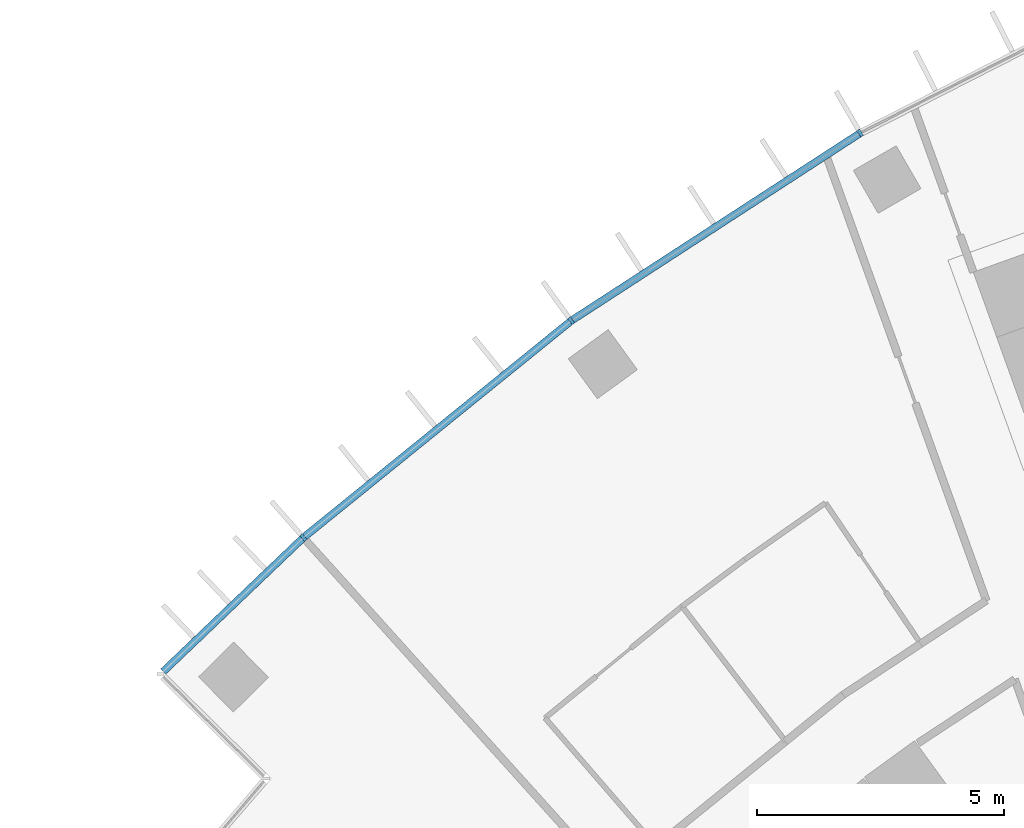
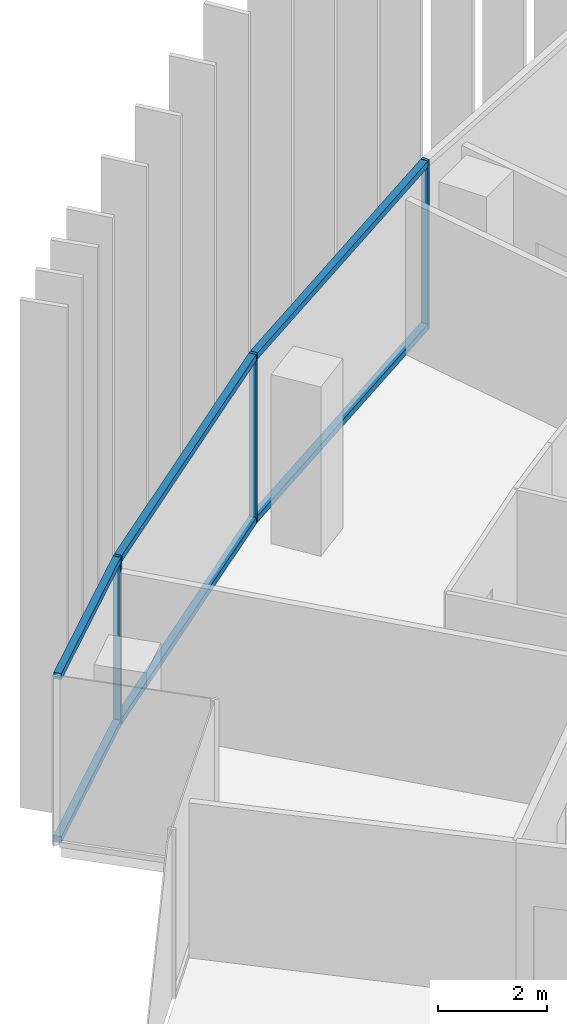
# One storey, part 4 of 23: 9 members, 1 element without a shape of its own.
"""IFC4 building model written with IfcOpenShell, lengths in metres."""

from ifc_helpers import new_model, si_unit, direction, frame, origin, origin_2d, place, context, subcontext, project, spatial, rectangle, extrude, material, layer, layer_set, material_profile, profile_set, type_object, element, aggregate, save


model = new_model("IFC4")

# Units and contexts
model_context = context("Model", 3, precision=1e-05, world=origin(), true_north=direction((0.0, 1.0)))
body_context = subcontext(model_context, "Body", "Model", "MODEL_VIEW")
ifc_project = project(units=[si_unit("LENGTHUNIT", "METRE"), si_unit("AREAUNIT", "SQUARE_METRE"), si_unit("VOLUMEUNIT", "CUBIC_METRE"), si_unit("PLANEANGLEUNIT", "RADIAN"), si_unit("MASSUNIT", "GRAM", prefix="KILO")], contexts=[model_context])

# Site, building, storey
site_placement = place(None, origin())
site = spatial("IfcSite", under=ifc_project, at=site_placement, CompositionType="ELEMENT")
building_placement = place(site_placement, origin())
building = spatial("IfcBuilding", under=site, at=building_placement, Name="Stone Belt Terrace Tower", CompositionType="ELEMENT")
storey_placement = place(building_placement, frame((0.0, 0.0, 178.199951171875)))
storey = spatial("IfcBuildingStorey", under=building, at=storey_placement, Name="L43", CompositionType="ELEMENT", Elevation=178.199951171875)

# Curtain wall, members
ifc_material = material(Name="Aluminium 6063-T6 anodised frame", Category="aluminium")
ifc_layer = layer(ifc_material, 0.14990234375)
ifc_layer_set = layer_set([ifc_layer], Name="CW-A unitised convex-face curtain wall")
curtain_wall_type = type_object("IfcCurtainWallType", Name="CW-A unitised convex-face curtain wall", PredefinedType="NOTDEFINED", material=ifc_layer_set)
curtain_wall_placement = place(storey_placement, origin())
curtain_wall = element("IfcCurtainWall", 1, at=curtain_wall_placement, inside=storey, type_object=curtain_wall_type, Name="CW-A convex face L43", PredefinedType="NOTDEFINED")
ifc_material_profile_1 = material_profile(ifc_material, rectangle(XDim=0.14990234375, YDim=0.06005859375, at=origin_2d()), Name="Aluminium 6063-T6 60x150")
ifc_profile_set_1 = profile_set([ifc_material_profile_1], Name="Aluminium 6063-T6 anodised frame")
member_type_1 = type_object("IfcMemberType", Name="CW-A mullion 60 x 150", PredefinedType="MULLION", material=ifc_profile_set_1)
member_1_placement = place(storey_placement, frame((-33.28759765625, 57.65576171875, 0.0), z_axis=(0.0, 0.0, 1.0), x_axis=(0.5, -0.866025403784, 0.0)))
member_1 = element("IfcMember", 2, at=member_1_placement, type_object=member_type_1, Name="CW-A mullion 13", PredefinedType="MULLION", context=body_context, shape_type="SweptSolid", body=[
    extrude(rectangle(XDim=0.14990234375, YDim=0.06005859375, at=origin_2d()), origin(), (0.0, 0.0, 1.0), 3.800048828125),
])
member_2_placement = place(storey_placement, frame((-39.1318359375, 53.8603515625, 0.0), z_axis=(0.0, 0.0, 1.0), x_axis=(0.587785252292, -0.809016994375, 0.0)))
member_2 = element("IfcMember", 3, at=member_2_placement, type_object=member_type_1, Name="CW-A mullion 14", PredefinedType="MULLION", context=body_context, shape_type="SweptSolid", body=[
    extrude(rectangle(XDim=0.14990234375, YDim=0.06005859375, at=origin_2d()), origin(), (0.0, 0.0, 1.0), 3.800048828125),
])
member_3_placement = place(storey_placement, frame((-44.546875, 49.4755859375, 0.0), z_axis=(0.0, 0.0, 1.0), x_axis=(0.660573481499, -0.75076139721, 0.0)))
member_3 = element("IfcMember", 4, at=member_3_placement, type_object=member_type_1, Name="CW-A mullion 15", PredefinedType="MULLION", context=body_context, shape_type="SweptSolid", body=[
    extrude(rectangle(XDim=0.14990234375, YDim=0.06005859375, at=origin_2d()), origin(), (0.0, 0.0, 1.0), 3.800048828125),
])
ifc_material_profile_2 = material_profile(ifc_material, rectangle(XDim=0.14990234375, YDim=0.139892578125, at=origin_2d()), Name="Aluminium 6063-T6 150x140")
ifc_profile_set_2 = profile_set([ifc_material_profile_2], Name="Aluminium 6063-T6 anodised frame")
member_type_2 = type_object("IfcMemberType", Name="CW-A transom 140 x 150", PredefinedType="USERDEFINED", material=ifc_profile_set_2)
member_4_placement = place(storey_placement, frame((-33.31591796875, 57.63720703125, 0.070068359375), z_axis=(-0.83868440714, -0.544617723931, 0.0), x_axis=(0.544617723931, -0.83868440714, 0.0)))
member_4 = element("IfcMember", 5, at=member_4_placement, type_object=member_type_2, Name="CW-A transom 13.1", ObjectType="TRANSOM", PredefinedType="USERDEFINED", context=body_context, shape_type="SweptSolid", body=[
    extrude(rectangle(XDim=0.14990234375, YDim=0.139892578125, at=origin_2d()), origin(), (0.0, 0.0, 1.0), 6.90087890625),
])
member_5_placement = place(storey_placement, frame((-33.31591796875, 57.63720703125, 3.72998046875), z_axis=(-0.83868440714, -0.544617723931, 0.0), x_axis=(0.544617723931, -0.83868440714, 0.0)))
member_5 = element("IfcMember", 6, at=member_5_placement, type_object=member_type_2, Name="CW-A transom 13.2", ObjectType="TRANSOM", PredefinedType="USERDEFINED", context=body_context, shape_type="SweptSolid", body=[
    extrude(rectangle(XDim=0.14990234375, YDim=0.139892578125, at=origin_2d()), origin(), (0.0, 0.0, 1.0), 6.90087890625),
])
member_6_placement = place(storey_placement, frame((-39.158203125, 53.839111328125, 0.070068359375), z_axis=(-0.777141048626, -0.629326457842, 0.0), x_axis=(0.629326457842, -0.777141048626, 0.0)))
member_6 = element("IfcMember", 7, at=member_6_placement, type_object=member_type_2, Name="CW-A transom 14.1", ObjectType="TRANSOM", PredefinedType="USERDEFINED", context=body_context, shape_type="SweptSolid", body=[
    extrude(rectangle(XDim=0.14990234375, YDim=0.139892578125, at=origin_2d()), origin(), (0.0, 0.0, 1.0), 6.900634765625),
])
member_7_placement = place(storey_placement, frame((-39.158203125, 53.839111328125, 3.72998046875), z_axis=(-0.777141048626, -0.629326457842, 0.0), x_axis=(0.629326457842, -0.777141048626, 0.0)))
member_7 = element("IfcMember", 8, at=member_7_placement, type_object=member_type_2, Name="CW-A transom 14.2", ObjectType="TRANSOM", PredefinedType="USERDEFINED", context=body_context, shape_type="SweptSolid", body=[
    extrude(rectangle(XDim=0.14990234375, YDim=0.139892578125, at=origin_2d()), origin(), (0.0, 0.0, 1.0), 6.900634765625),
])
member_8_placement = place(storey_placement, frame((-44.570556640625, 49.45263671875, 0.070068359375), z_axis=(-0.723150258233, -0.690690744124, 0.0), x_axis=(0.690690744124, -0.723150258233, 0.0)))
member_8 = element("IfcMember", 9, at=member_8_placement, type_object=member_type_2, Name="CW-A transom 15.1", ObjectType="TRANSOM", PredefinedType="USERDEFINED", context=body_context, shape_type="SweptSolid", body=[
    extrude(rectangle(XDim=0.14990234375, YDim=0.139892578125, at=origin_2d()), origin(), (0.0, 0.0, 1.0), 3.888671875),
])
member_9_placement = place(storey_placement, frame((-44.570556640625, 49.45263671875, 3.72998046875), z_axis=(-0.723150258233, -0.690690744124, 0.0), x_axis=(0.690690744124, -0.723150258233, 0.0)))
member_9 = element("IfcMember", 10, at=member_9_placement, type_object=member_type_2, Name="CW-A transom 15.2", ObjectType="TRANSOM", PredefinedType="USERDEFINED", context=body_context, shape_type="SweptSolid", body=[
    extrude(rectangle(XDim=0.14990234375, YDim=0.139892578125, at=origin_2d()), origin(), (0.0, 0.0, 1.0), 3.888671875),
])
aggregate(curtain_wall, [member_1, member_2, member_3, member_4, member_5, member_6, member_7, member_8, member_9])

save(model, "model.ifc")
